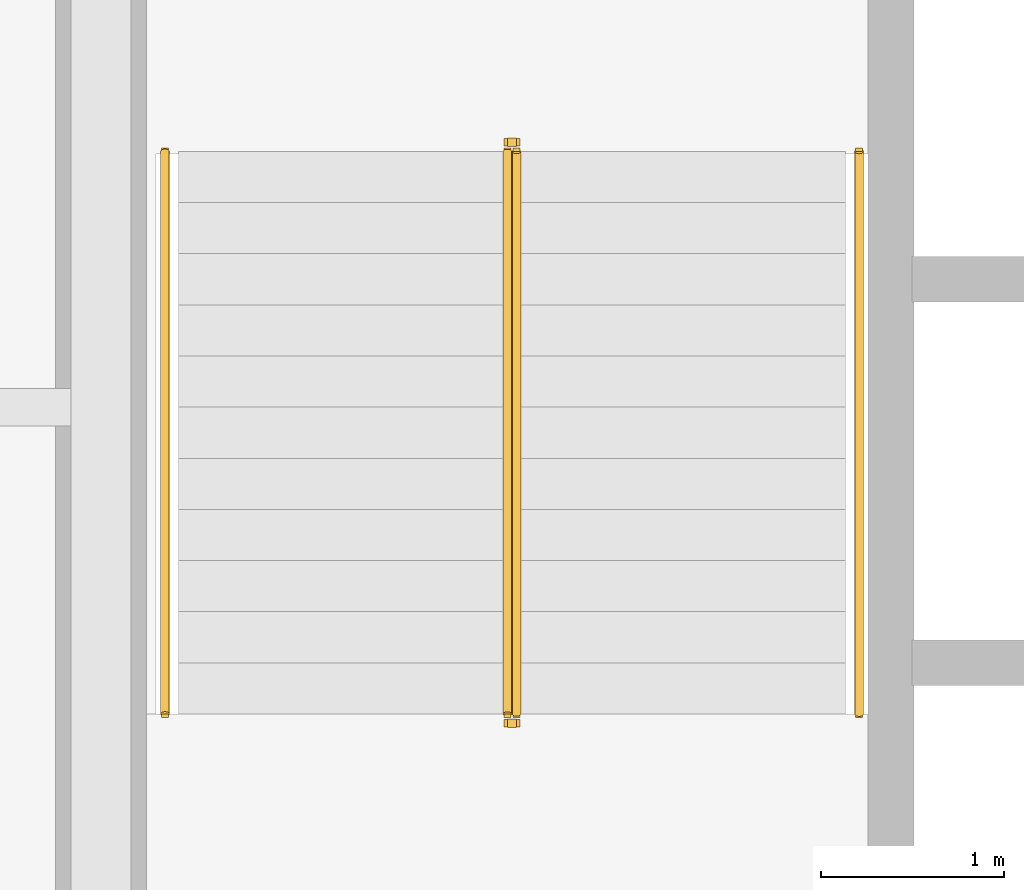
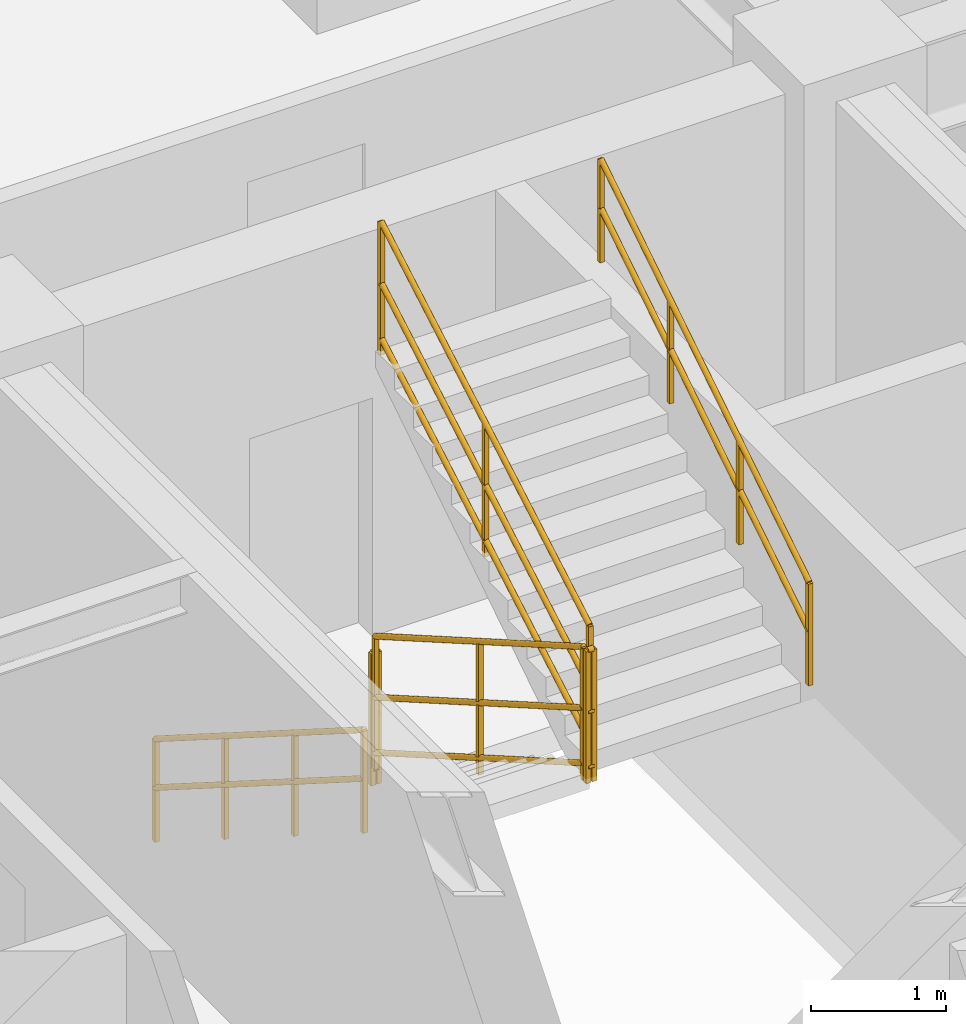
# One storey, part 10 of 10: 6 railings.
"""IFC4 building model written with IfcOpenShell, lengths in metres."""

import ifcopenshell
import ifcopenshell.guid

model = None  # the IFC model being written
_history = None  # IfcOwnerHistory: only IFC2X3 demands one
_inside = {}  # id of a spatial element -> (the spatial element, [elements in it])
_under = {}  # id of a project, library or spatial element -> (it, [spatial elements below it])
_declared = {}  # id of a project -> (the project, [libraries it declares])
_typed = {}  # id of a type object -> (the type object, [elements of that type])
_made_of = {}  # id of a material, layer set ... -> (it, [elements and type objects made of it])


def new_model(schema):
    """Start an empty IFC model of exactly this schema.

    Asked for "IFC4X3", IfcOpenShell would pick the latest addendum, in which some entities
    have other attributes; the version numbers below select the first issue.
    IFC2X3 requires an IfcOwnerHistory on every rooted entity: one is made here for all.
    """
    global model, _history
    if schema == "IFC4X3":
        model = ifcopenshell.file(schema_version=(4, 3, 0, 0))
    else:
        model = ifcopenshell.file(schema=schema)
    _inside.clear()
    _under.clear()
    _declared.clear()
    _typed.clear()
    _made_of.clear()
    _history = None
    if model.schema == "IFC2X3":
        org = make("IfcOrganization", Name="unknown")
        user = make(
            "IfcPersonAndOrganization",
            ThePerson=make("IfcPerson", FamilyName="unknown"),
            TheOrganization=org,
        )
        app = make(
            "IfcApplication",
            ApplicationDeveloper=org,
            Version="unknown",
            ApplicationFullName="unknown",
            ApplicationIdentifier="unknown",
        )
        _history = make(
            "IfcOwnerHistory",
            OwningUser=user,
            OwningApplication=app,
            ChangeAction="ADDED",
            CreationDate=0,
        )
    return model


def make(cls, **values):
    """One entity of the class cls with the attributes given. An attribute that is None is left unset."""
    return model.create_entity(
        cls, **{name: value for name, value in values.items() if value is not None}
    )


def entity(cls, *values):
    """Any entity or typed value of the class cls, its attributes in the order of the schema. None: left unset."""
    e = model.create_entity(cls)
    for i, value in enumerate(values):
        if value is not None:
            e[i] = value
    return e


def rooted(cls, **values):
    """An entity with a GlobalId (a new one), such as an element, a storey or a relation."""
    return make(cls, GlobalId=ifcopenshell.guid.new(), OwnerHistory=_history, **values)


def si_unit(unit_type, name, prefix=None):
    """IfcSIUnit, for example si_unit("LENGTHUNIT", "METRE", prefix="MILLI")."""
    return make("IfcSIUnit", UnitType=unit_type, Prefix=prefix, Name=name)


def converted_unit(unit_type, name, factor, base, dimensions=None, offset=None):
    """IfcConversionBasedUnit, such as the inch: factor (a typed value) times the base unit."""
    return make(
        "IfcConversionBasedUnit"
        if offset is None
        else "IfcConversionBasedUnitWithOffset",
        ConversionOffset=offset,
        Dimensions=None
        if dimensions is None
        else entity("IfcDimensionalExponents", *dimensions),
        UnitType=unit_type,
        Name=name,
        ConversionFactor=make(
            "IfcMeasureWithUnit", ValueComponent=factor, UnitComponent=base
        ),
    )


def assignment(units):
    """IfcUnitAssignment: the units of a project."""
    return None if units is None else make("IfcUnitAssignment", Units=units)


def point(xyz):
    """IfcCartesianPoint."""
    return None if xyz is None else make("IfcCartesianPoint", Coordinates=xyz)


def direction(xyz):
    """IfcDirection."""
    return None if xyz is None else make("IfcDirection", DirectionRatios=xyz)


def frame(location, z_axis=None, x_axis=None):
    """IfcAxis2Placement3D, a coordinate frame: its origin and axes. An axis left out is left unset."""
    return make(
        "IfcAxis2Placement3D",
        Location=point(location),
        Axis=direction(z_axis),
        RefDirection=direction(x_axis),
    )


def frame_2d(location, x_axis=None):
    """IfcAxis2Placement2D, a coordinate frame in the plane: its origin and x axis."""
    return make(
        "IfcAxis2Placement2D", Location=point(location), RefDirection=direction(x_axis)
    )


def origin_with_axes():
    """The frame at (0, 0, 0) with the z axis (0, 0, 1) and the x axis (1, 0, 0) written out."""
    return frame((0.0, 0.0, 0.0), z_axis=(0.0, 0.0, 1.0), x_axis=(1.0, 0.0, 0.0))


def origin_2d_with_axis():
    """The frame at (0, 0) in the plane with the x axis (1, 0) written out."""
    return frame_2d((0.0, 0.0), x_axis=(1.0, 0.0))


def place(relative_to, where):
    """IfcLocalPlacement: puts the frame where relative to a parent placement (None: the world)."""
    return make(
        "IfcLocalPlacement", PlacementRelTo=relative_to, RelativePlacement=where
    )


def context(
    kind, dimensions, precision=None, world=None, true_north=None, identifier=None
):
    """IfcGeometricRepresentationContext, for example the 3D "Model" context."""
    return make(
        "IfcGeometricRepresentationContext",
        ContextIdentifier=identifier,
        ContextType=kind,
        CoordinateSpaceDimension=dimensions,
        Precision=precision,
        WorldCoordinateSystem=world,
        TrueNorth=true_north,
    )


def subcontext(parent, identifier, kind, view, scale=None):
    """IfcGeometricRepresentationSubContext, for example "Body" below "Model"."""
    return make(
        "IfcGeometricRepresentationSubContext",
        ContextIdentifier=identifier,
        ContextType=kind,
        ParentContext=parent,
        TargetScale=scale,
        TargetView=view,
    )


def project(units=None, contexts=None):
    """IfcProject with its units and contexts."""
    return rooted(
        "IfcProject",
        Name="project",
        RepresentationContexts=contexts,
        UnitsInContext=assignment(units),
    )


def spatial(cls, under=None, at=None, **own):
    """A site, building, storey or space (cls), placed at a placement, below another one or the project."""
    s = rooted(cls, ObjectPlacement=at, **own)
    if under is not None:
        _under.setdefault(under.id(), (under, []))[1].append(s)
    return s


def profile(cls, at=None, kind="AREA", **sizes):
    """A parametric profile (cls). Its sizes go by their IFC names, for example OverallWidth=200.0."""
    return make(cls, ProfileType=kind, Position=at, **sizes)


def rectangle(**sizes):
    """IfcRectangleProfileDef."""
    return profile("IfcRectangleProfileDef", **sizes)


def circle(**sizes):
    """IfcCircleProfileDef."""
    return profile("IfcCircleProfileDef", **sizes)


def extrude(swept, where, along, depth):
    """IfcExtrudedAreaSolid: the profile swept, set in the frame where, extruded along a direction by depth."""
    return make(
        "IfcExtrudedAreaSolid",
        SweptArea=swept,
        Position=where,
        ExtrudedDirection=direction(along),
        Depth=depth,
    )


def shape(context_of_items, identifier, shape_type, items):
    """IfcShapeRepresentation: the items that make up one representation, for example the "Body"."""
    return make(
        "IfcShapeRepresentation",
        ContextOfItems=context_of_items,
        RepresentationIdentifier=identifier,
        RepresentationType=shape_type,
        Items=items,
    )


def material(Name=None, Category=None):
    """IfcMaterial."""
    return make("IfcMaterial", Name=Name, Category=Category)


def made_of(thing, what):
    """Note that an element or type object is made of a material, layer set ...; save() writes the relation."""
    if what is not None:
        _made_of.setdefault(what.id(), (what, []))[1].append(thing)
    return thing


def type_object(cls, material=None, **own):
    """A type object (cls), such as IfcWallType, which elements share."""
    return made_of(rooted(cls, **own), material)


def element(
    cls,
    number,
    at=None,
    inside=None,
    cuts=None,
    type_object=None,
    material=None,
    context=None,
    identifier="Body",
    shape_type=None,
    held_by="IfcProductDefinitionShape",
    body=None,
    shapes=None,
    **own,
):
    """One element of the class cls, such as IfcWall. Its Tag is "e" and its number.

    at: its placement. inside: the storey or other place that contains it. cuts: it is an
    opening in that element (IfcRelVoidsElement). A single representation is given by context,
    identifier, shape_type and body (its items); several are given by shapes. held_by: the class
    of the entity that holds the representations. save() writes the other relations.
    """
    e = rooted(cls, Tag="e%d" % number, ObjectPlacement=at, **own)
    if body is not None:
        shapes = [shape(context, identifier, shape_type, body)]
    if shapes is not None:
        e.Representation = make(held_by, Representations=shapes)
    if inside is not None:
        _inside.setdefault(inside.id(), (inside, []))[1].append(e)
    if cuts is not None:
        rooted(
            "IfcRelVoidsElement", RelatingBuildingElement=cuts, RelatedOpeningElement=e
        )
    if type_object is not None:
        _typed.setdefault(type_object.id(), (type_object, []))[1].append(e)
    return made_of(e, material)


def aggregate(whole, parts):
    """IfcRelAggregates: a whole, such as a stair, and the parts it consists of."""
    return rooted("IfcRelAggregates", RelatingObject=whole, RelatedObjects=parts)


def save(model, path):
    """Write the relations noted so far, then the file.

    IfcRelAggregates (storeys below a building ...), IfcRelContainedInSpatialStructure (elements
    in a storey), IfcRelDefinesByType, IfcRelAssociatesMaterial and IfcRelDeclares: one each for
    every whole, place, type object, material and project.
    """
    for whole, parts in _under.values():
        aggregate(whole, parts)
    for where, things in _inside.values():
        rooted(
            "IfcRelContainedInSpatialStructure",
            RelatedElements=things,
            RelatingStructure=where,
        )
    for kind, things in _typed.values():
        rooted("IfcRelDefinesByType", RelatedObjects=things, RelatingType=kind)
    for what, things in _made_of.values():
        rooted("IfcRelAssociatesMaterial", RelatedObjects=things, RelatingMaterial=what)
    for by, libraries in _declared.values():
        rooted("IfcRelDeclares", RelatingContext=by, RelatedDefinitions=libraries)
    model.write(path)


model = new_model("IFC4")

# Units and contexts
model_context = context("Model", 3, precision=1e-05, world=origin_with_axes(), true_north=direction((0.0, 1.0)))
body_context = subcontext(model_context, "Body", "Model", "MODEL_VIEW")
ifc_project = project(units=[si_unit("LENGTHUNIT", "METRE"), si_unit("AREAUNIT", "SQUARE_METRE"), si_unit("VOLUMEUNIT", "CUBIC_METRE"), converted_unit("PLANEANGLEUNIT", "DEGREE", entity("IfcPlaneAngleMeasure", 0.017453292519943295), si_unit("PLANEANGLEUNIT", "RADIAN"), dimensions=[0, 0, 0, 0, 0, 0, 0]), si_unit("MASSUNIT", "GRAM", prefix="KILO"), si_unit("THERMODYNAMICTEMPERATUREUNIT", "KELVIN")], contexts=[model_context])

# Site, building, storey
site_placement = place(None, origin_with_axes())
site = spatial("IfcSite", under=ifc_project, at=site_placement, CompositionType="ELEMENT")
building_placement = place(site_placement, origin_with_axes())
building = spatial("IfcBuilding", under=site, at=building_placement, Name="Varnlund Millrace Tower", CompositionType="ELEMENT")
storey_placement = place(building_placement, frame((0.0, 0.0, 160.2), z_axis=(0.0, 0.0, 1.0), x_axis=(1.0, 0.0, 0.0)))
storey = spatial("IfcBuildingStorey", under=building, at=storey_placement, Name="L39", CompositionType="ELEMENT", Elevation=160.2)

# Railings
ifc_material_1 = material(Name="Painted steel stair well balustrade guard", Category="steel")
railing_type_1 = type_object("IfcRailingType", Name="Type-StairGuard-1150", PredefinedType="GUARDRAIL", material=ifc_material_1)
railing_1_placement = place(storey_placement, frame((0.0, 0.0, -160.2), z_axis=(0.0, 0.0, 1.0), x_axis=(1.0, 0.0, 0.0)))
element("IfcRailing", 1, at=railing_1_placement, inside=storey, type_object=railing_type_1, Name="Type-StairGuard-1150", PredefinedType="GUARDRAIL", context=body_context, shape_type="SweptSolid", body=[
    extrude(circle(Radius=0.024, at=origin_2d_with_axis()), frame((13.625, 35.9, 161.527273), z_axis=(0.0, -0.866696, 0.498836), x_axis=(1.0, 0.0, 0.0)), (0.0, 0.0, 1.0), 3.553725),
    extrude(circle(Radius=0.024, at=origin_2d_with_axis()), frame((13.625, 35.9, 160.477273), z_axis=(0.0, -0.866696, 0.498836), x_axis=(1.0, 0.0, 0.0)), (0.0, 0.0, 1.0), 3.553725),
    extrude(circle(Radius=0.024, at=origin_2d_with_axis()), frame((13.625, 35.9, 160.975273), z_axis=(0.0, -0.866696, 0.498836), x_axis=(1.0, 0.0, 0.0)), (0.0, 0.0, 1.0), 3.553725),
    extrude(rectangle(XDim=0.04, YDim=0.04, at=origin_2d_with_axis()), frame((13.625, 35.9, 160.337273), z_axis=(0.0, 0.0, 1.0), x_axis=(1.0, 0.0, 0.0)), (0.0, 0.0, 1.0), 1.19),
    extrude(rectangle(XDim=0.04, YDim=0.04, at=origin_2d_with_axis()), frame((13.625, 34.36, 161.223637), z_axis=(0.0, 0.0, 1.0), x_axis=(1.0, 0.0, 0.0)), (0.0, 0.0, 1.0), 1.19),
    extrude(rectangle(XDim=0.04, YDim=0.04, at=origin_2d_with_axis()), frame((13.625, 32.82, 162.11), z_axis=(0.0, 0.0, 1.0), x_axis=(1.0, 0.0, 0.0)), (0.0, 0.0, 1.0), 1.19),
])
railing_2_placement = place(storey_placement, frame((0.0, 0.0, -160.2), z_axis=(0.0, 0.0, 1.0), x_axis=(1.0, 0.0, 0.0)))
element("IfcRailing", 2, at=railing_2_placement, inside=storey, type_object=railing_type_1, Name="Type-StairGuard-1150", PredefinedType="GUARDRAIL", context=body_context, shape_type="SweptSolid", body=[
    extrude(circle(Radius=0.024, at=origin_2d_with_axis()), frame((13.675, 32.77, 163.3), z_axis=(-1.0, 0.0, 0.0), x_axis=(0.0, -1.0, 0.0)), (0.0, 0.0, 1.0), 0.05),
    extrude(circle(Radius=0.024, at=origin_2d_with_axis()), frame((13.675, 32.77, 162.25), z_axis=(-1.0, 0.0, 0.0), x_axis=(0.0, -1.0, 0.0)), (0.0, 0.0, 1.0), 0.05),
    extrude(circle(Radius=0.024, at=origin_2d_with_axis()), frame((13.675, 32.77, 162.748), z_axis=(-1.0, 0.0, 0.0), x_axis=(0.0, -1.0, 0.0)), (0.0, 0.0, 1.0), 0.05),
    extrude(rectangle(XDim=0.04, YDim=0.04, at=origin_2d_with_axis()), frame((13.675, 32.77, 162.11), z_axis=(0.0, 0.0, 1.0), x_axis=(1.0, 0.0, 0.0)), (0.0, 0.0, 1.0), 1.19),
    extrude(rectangle(XDim=0.04, YDim=0.04, at=origin_2d_with_axis()), frame((13.625, 32.77, 162.11), z_axis=(0.0, 0.0, 1.0), x_axis=(1.0, 0.0, 0.0)), (0.0, 0.0, 1.0), 1.19),
])
railing_3_placement = place(storey_placement, frame((0.0, 0.0, -160.2), z_axis=(0.0, 0.0, 1.0), x_axis=(1.0, 0.0, 0.0)))
element("IfcRailing", 3, at=railing_3_placement, inside=storey, type_object=railing_type_1, Name="Type-StairGuard-1150", PredefinedType="GUARDRAIL", context=body_context, shape_type="SweptSolid", body=[
    extrude(circle(Radius=0.024, at=origin_2d_with_axis()), frame((13.675, 32.82, 163.477273), z_axis=(0.0, 0.866696, 0.498836), x_axis=(-1.0, 0.0, 0.0)), (0.0, 0.0, 1.0), 3.553725),
    extrude(circle(Radius=0.024, at=origin_2d_with_axis()), frame((13.675, 32.82, 162.427273), z_axis=(0.0, 0.866696, 0.498836), x_axis=(-1.0, 0.0, 0.0)), (0.0, 0.0, 1.0), 3.553725),
    extrude(circle(Radius=0.024, at=origin_2d_with_axis()), frame((13.675, 32.82, 162.925273), z_axis=(0.0, 0.866696, 0.498836), x_axis=(-1.0, 0.0, 0.0)), (0.0, 0.0, 1.0), 3.553725),
    extrude(rectangle(XDim=0.04, YDim=0.04, at=origin_2d_with_axis()), frame((13.675, 32.82, 162.287273), z_axis=(0.0, 0.0, 1.0), x_axis=(1.0, 0.0, 0.0)), (0.0, 0.0, 1.0), 1.19),
    extrude(rectangle(XDim=0.04, YDim=0.04, at=origin_2d_with_axis()), frame((13.675, 34.36, 163.173637), z_axis=(0.0, 0.0, 1.0), x_axis=(1.0, 0.0, 0.0)), (0.0, 0.0, 1.0), 1.19),
    extrude(rectangle(XDim=0.04, YDim=0.04, at=origin_2d_with_axis()), frame((13.675, 35.9, 164.06), z_axis=(0.0, 0.0, 1.0), x_axis=(1.0, 0.0, 0.0)), (0.0, 0.0, 1.0), 1.19),
])
railing_4_placement = place(storey_placement, frame((0.0, 0.0, -160.2), z_axis=(0.0, 0.0, 1.0), x_axis=(1.0, 0.0, 0.0)))
element("IfcRailing", 4, at=railing_4_placement, inside=storey, type_object=railing_type_1, Name="Type-StairGuard-1150", PredefinedType="GUARDRAIL", context=body_context, shape_type="SweptSolid", body=[
    extrude(circle(Radius=0.024, at=origin_2d_with_axis()), frame((13.675, 35.95, 161.35), z_axis=(-1.0, 0.0, 0.0), x_axis=(0.0, -1.0, 0.0)), (0.0, 0.0, 1.0), 0.05),
    extrude(circle(Radius=0.024, at=origin_2d_with_axis()), frame((13.675, 35.95, 160.3), z_axis=(-1.0, 0.0, 0.0), x_axis=(0.0, -1.0, 0.0)), (0.0, 0.0, 1.0), 0.05),
    extrude(circle(Radius=0.024, at=origin_2d_with_axis()), frame((13.675, 35.95, 160.798), z_axis=(-1.0, 0.0, 0.0), x_axis=(0.0, -1.0, 0.0)), (0.0, 0.0, 1.0), 0.05),
    extrude(rectangle(XDim=0.04, YDim=0.04, at=origin_2d_with_axis()), frame((13.675, 35.95, 160.16), z_axis=(0.0, 0.0, 1.0), x_axis=(1.0, 0.0, 0.0)), (0.0, 0.0, 1.0), 1.19),
    extrude(rectangle(XDim=0.04, YDim=0.04, at=origin_2d_with_axis()), frame((13.625, 35.95, 160.16), z_axis=(0.0, 0.0, 1.0), x_axis=(1.0, 0.0, 0.0)), (0.0, 0.0, 1.0), 1.19),
])
ifc_material_2 = material(Name="Brushed architectural bronze stair handrail", Category="aluminium")
railing_type_2 = type_object("IfcRailingType", Name="Type-StairHandrail-900", PredefinedType="HANDRAIL", material=ifc_material_2)
railing_5_placement = place(storey_placement, frame((0.0, 0.0, -160.2), z_axis=(0.0, 0.0, 1.0), x_axis=(1.0, 0.0, 0.0)))
element("IfcRailing", 5, at=railing_5_placement, inside=storey, type_object=railing_type_2, Name="Type-StairHandrail-900", PredefinedType="HANDRAIL", context=body_context, shape_type="SweptSolid", body=[
    extrude(circle(Radius=0.024, at=origin_2d_with_axis()), frame((11.75, 35.9, 161.256995), z_axis=(0.0, -0.844902, 0.534922), x_axis=(1.0, 0.0, 0.0)), (0.0, 0.0, 1.0), 3.645394),
    extrude(circle(Radius=0.024, at=origin_2d_with_axis()), frame((11.75, 35.9, 160.817134), z_axis=(0.0, -0.844902, 0.534922), x_axis=(1.0, 0.0, 0.0)), (0.0, 0.0, 1.0), 3.645394),
    extrude(rectangle(XDim=0.04, YDim=0.04, at=origin_2d_with_axis()), frame((11.75, 35.9, 160.337273), z_axis=(0.0, 0.0, 1.0), x_axis=(1.0, 0.0, 0.0)), (0.0, 0.0, 1.0), 0.919722),
    extrude(rectangle(XDim=0.04, YDim=0.04, at=origin_2d_with_axis()), frame((11.75, 34.873333, 160.987273), z_axis=(0.0, 0.0, 1.0), x_axis=(1.0, 0.0, 0.0)), (0.0, 0.0, 1.0), 0.919722),
    extrude(rectangle(XDim=0.04, YDim=0.04, at=origin_2d_with_axis()), frame((11.75, 33.846667, 161.637273), z_axis=(0.0, 0.0, 1.0), x_axis=(1.0, 0.0, 0.0)), (0.0, 0.0, 1.0), 0.919722),
    extrude(rectangle(XDim=0.04, YDim=0.04, at=origin_2d_with_axis()), frame((11.75, 32.82, 162.287273), z_axis=(0.0, 0.0, 1.0), x_axis=(1.0, 0.0, 0.0)), (0.0, 0.0, 1.0), 0.919722),
])
railing_6_placement = place(storey_placement, frame((0.0, 0.0, -160.2), z_axis=(0.0, 0.0, 1.0), x_axis=(1.0, 0.0, 0.0)))
element("IfcRailing", 6, at=railing_6_placement, inside=storey, type_object=railing_type_2, Name="Type-StairHandrail-900", PredefinedType="HANDRAIL", context=body_context, shape_type="SweptSolid", body=[
    extrude(circle(Radius=0.024, at=origin_2d_with_axis()), frame((15.55, 32.82, 163.206995), z_axis=(0.0, 0.844902, 0.534922), x_axis=(-1.0, 0.0, 0.0)), (0.0, 0.0, 1.0), 3.645394),
    extrude(circle(Radius=0.024, at=origin_2d_with_axis()), frame((15.55, 32.82, 162.767134), z_axis=(0.0, 0.844902, 0.534922), x_axis=(-1.0, 0.0, 0.0)), (0.0, 0.0, 1.0), 3.645394),
    extrude(rectangle(XDim=0.04, YDim=0.04, at=origin_2d_with_axis()), frame((15.55, 32.82, 162.287273), z_axis=(0.0, 0.0, 1.0), x_axis=(1.0, 0.0, 0.0)), (0.0, 0.0, 1.0), 0.919722),
    extrude(rectangle(XDim=0.04, YDim=0.04, at=origin_2d_with_axis()), frame((15.55, 33.846667, 162.937273), z_axis=(0.0, 0.0, 1.0), x_axis=(1.0, 0.0, 0.0)), (0.0, 0.0, 1.0), 0.919722),
    extrude(rectangle(XDim=0.04, YDim=0.04, at=origin_2d_with_axis()), frame((15.55, 34.873333, 163.587273), z_axis=(0.0, 0.0, 1.0), x_axis=(1.0, 0.0, 0.0)), (0.0, 0.0, 1.0), 0.919722),
    extrude(rectangle(XDim=0.04, YDim=0.04, at=origin_2d_with_axis()), frame((15.55, 35.9, 164.237273), z_axis=(0.0, 0.0, 1.0), x_axis=(1.0, 0.0, 0.0)), (0.0, 0.0, 1.0), 0.919722),
])

save(model, "model.ifc")
